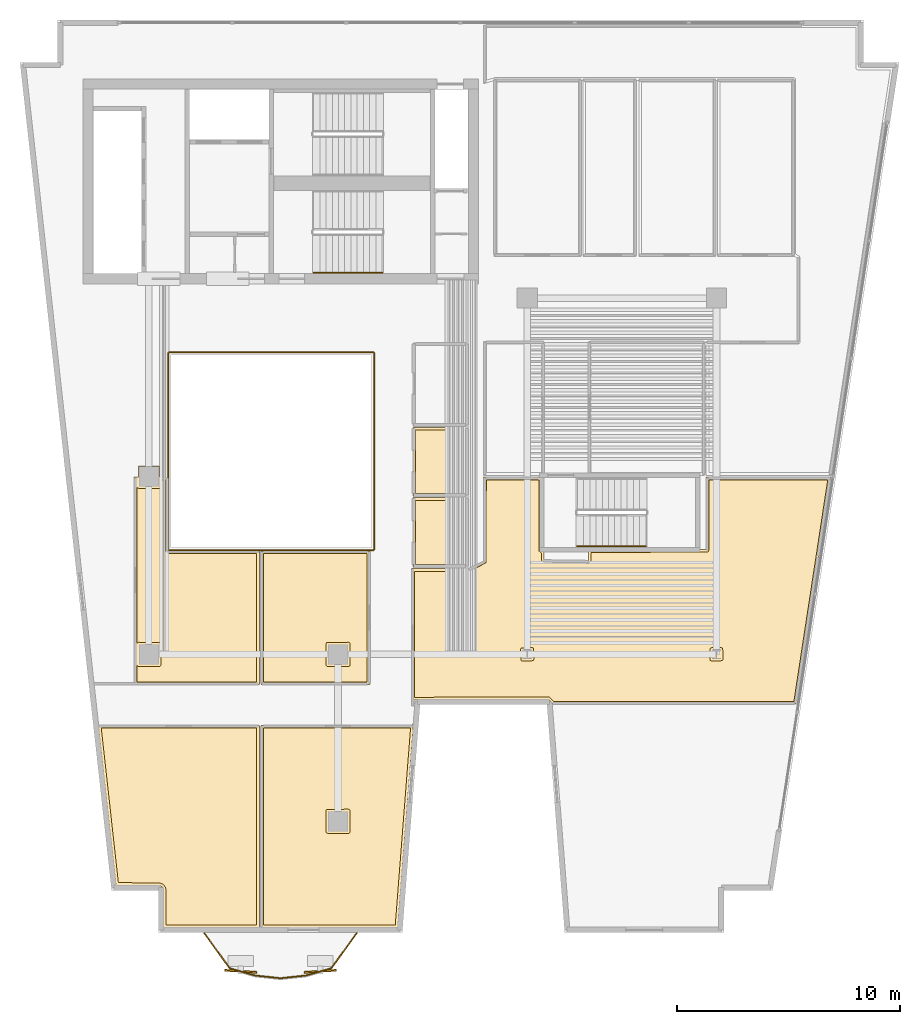
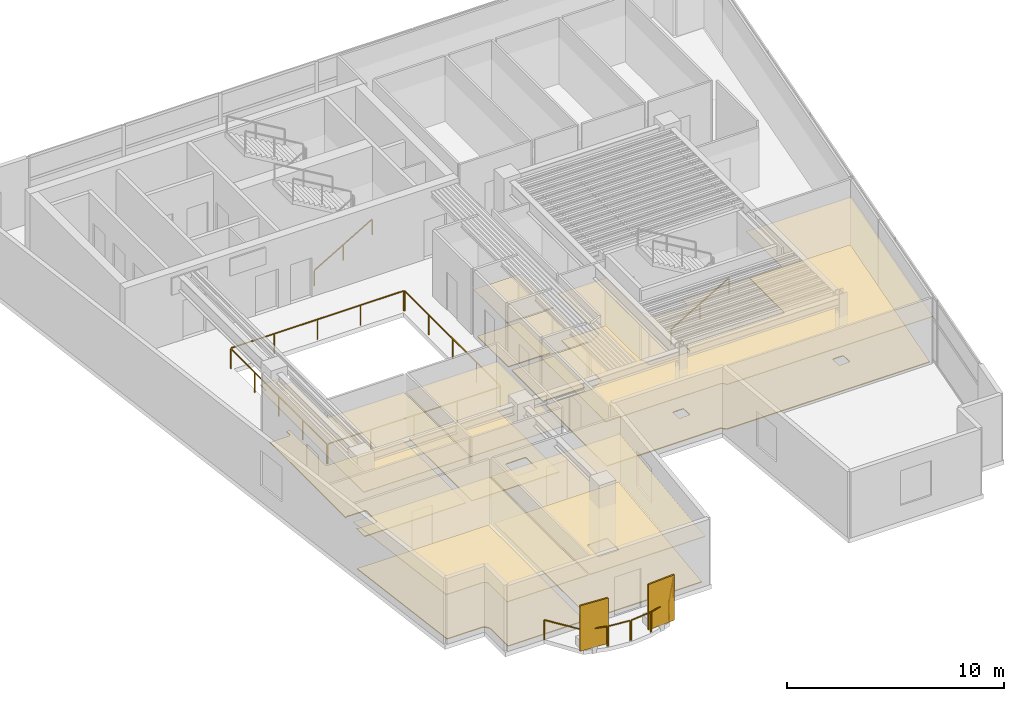
# One storey, part 7 of 8: 14 coverings, 12 railings, 2 shading devices.
"""IFC4 building model written with IfcOpenShell, lengths in metres."""

from ifc_helpers import new_model, si_unit, direction, frame, origin, origin_2d, place, context, subcontext, project, spatial, polyline, rectangle, outline, extrude, material, layer, layer_set, type_object, element, save


model = new_model("IFC4")

# Units and contexts
model_context = context("Model", 3, precision=1e-05, world=origin(), true_north=direction((0.0, 1.0)))
body_context = subcontext(model_context, "Body", "Model", "MODEL_VIEW")
ifc_project = project(units=[si_unit("LENGTHUNIT", "METRE"), si_unit("AREAUNIT", "SQUARE_METRE"), si_unit("VOLUMEUNIT", "CUBIC_METRE"), si_unit("PLANEANGLEUNIT", "RADIAN"), si_unit("MASSUNIT", "GRAM", prefix="KILO")], contexts=[model_context])

# Site, building, storey
site_placement = place(None, origin())
site = spatial("IfcSite", under=ifc_project, at=site_placement, CompositionType="ELEMENT")
building_placement = place(site_placement, origin())
building = spatial("IfcBuilding", under=site, at=building_placement, Name="Caeloran Harvest Quay", CompositionType="ELEMENT")
storey_placement = place(building_placement, frame((0.0, 0.0, 243.0)))
storey = spatial("IfcBuildingStorey", under=building, at=storey_placement, Name="L58", CompositionType="ELEMENT", Elevation=243.0)

# Coverings
ifc_material_1 = material(Name="Perforated Mineral-Fibre Acoustic Ceiling Tile", Category="ceiling")
ifc_layer_1 = layer(ifc_material_1, 0.0400390625, Name="Perforated Mineral-Fibre Acoustic Ceiling Tile")
ifc_layer_set_1 = layer_set([ifc_layer_1], Name="Perforated Mineral-Fibre Acoustic Ceiling Tile")
covering_type_1 = type_object("IfcCoveringType", Name="COV-CEILING-ACOUSTIC", PredefinedType="CEILING", material=ifc_layer_set_1)
covering_1_placement = place(storey_placement, frame((0.0, 0.0, 2.60009765625)))
element("IfcCovering", 1, at=covering_1_placement, inside=storey, type_object=covering_type_1, Name="L58 Female Washroom WC Acoustic Ceiling", PredefinedType="CEILING", context=body_context, shape_type="SweptSolid", body=[
    extrude(outline(polyline([(22.840087890625, 25.18994140625), (22.840087890625, 22.110107421875), (20.360107421875, 22.110107421875), (20.360107421875, 25.18994140625), (22.840087890625, 25.18994140625)])), origin(), (0.0, 0.0, 1.0), 0.039794921875),
])
covering_2_placement = place(storey_placement, frame((0.0, 0.0, 2.60009765625)))
element("IfcCovering", 2, at=covering_2_placement, inside=storey, type_object=covering_type_1, Name="L58 Accessible Unisex Washroom WC Acoustic Ceiling", PredefinedType="CEILING", context=body_context, shape_type="SweptSolid", body=[
    extrude(outline(polyline([(22.840087890625, 22.0400390625), (22.840087890625, 18.919921875), (20.360107421875, 18.919921875), (20.360107421875, 22.0400390625), (22.840087890625, 22.0400390625)])), origin(), (0.0, 0.0, 1.0), 0.039794921875),
])
covering_3_placement = place(storey_placement, frame((0.0, 0.0, 2.60009765625)))
element("IfcCovering", 3, at=covering_3_placement, inside=storey, type_object=covering_type_1, Name="Sustainable Urbanism Advisory Office Acoustic Ceiling", PredefinedType="CEILING", context=body_context, shape_type="SweptSolid", body=[
    extrude(outline(polyline([(13.5400390625, 11.81005859375), (20.31494140625, 11.81005859375), (20.394287109375, 11.9169921875), (19.680419921875, 2.719970703125), (13.5400390625, 2.719970703125), (13.5400390625, 11.81005859375)])), origin(), (0.0, 0.0, 1.0), 0.039794921875),
])
covering_4_placement = place(storey_placement, frame((0.0, 0.0, 2.60009765625)))
element("IfcCovering", 4, at=covering_4_placement, inside=storey, type_object=covering_type_1, Name="GIS Spatial Modelling Lab Acoustic Ceiling", PredefinedType="CEILING", context=body_context, shape_type="SweptSolid", body=[
    extrude(outline(polyline([(9.13916015625, 4.484130859375), (9.075439453125, 4.570068359375), (8.95751953125, 4.618896484375), (7.022705078125, 4.6201171875), (6.227294921875, 11.81005859375), (13.4599609375, 11.81005859375), (13.4599609375, 2.719970703125), (9.156005859375, 2.719970703125), (9.156005859375, 4.39892578125), (9.13916015625, 4.484130859375)])), origin(), (0.0, 0.0, 1.0), 0.039794921875),
])
covering_5_placement = place(storey_placement, frame((0.0, 0.0, 2.60009765625)))
element("IfcCovering", 5, at=covering_5_placement, inside=storey, type_object=covering_type_1, Name="Director Office Acoustic Ceiling", PredefinedType="CEILING", context=body_context, shape_type="SweptSolid", body=[
    extrude(outline(polyline([(18.429931640625, 13.639892578125), (13.5400390625, 13.639892578125), (13.5400390625, 19.659912109375), (18.429931640625, 19.659912109375), (18.429931640625, 13.639892578125)])), origin(), (0.0, 0.0, 1.0), 0.039794921875),
])
covering_6_placement = place(storey_placement, frame((0.0, 0.0, 2.60009765625)))
element("IfcCovering", 6, at=covering_6_placement, inside=storey, type_object=covering_type_1, Name="Client Review Meeting Room Acoustic Ceiling", PredefinedType="CEILING", context=body_context, shape_type="SweptSolid", body=[
    extrude(outline(polyline([(33.5400390625, 22.9599609375), (39.139404296875, 22.9599609375), (37.5810546875, 12.760009765625), (26.641845703125, 12.760009765625), (26.5556640625, 12.887451171875), (26.455810546875, 12.969970703125), (20.68505859375, 12.969970703125), (20.59326171875, 12.95068359375), (20.31005859375, 12.949951171875), (20.31005859375, 18.85009765625), (22.87353515625, 18.85009765625), (23.5400390625, 19.184814453125), (23.5400390625, 22.9599609375), (26.139892578125, 22.9599609375), (26.139892578125, 19.69921875), (26.260009765625, 19.604248046875), (26.260009765625, 19.239501953125), (28.239990234375, 19.210693359375), (28.239990234375, 19.689697265625), (33.5400390625, 19.71044921875), (33.5400390625, 22.9599609375)])), origin(), (0.0, 0.0, 1.0), 0.039794921875),
])
covering_7_placement = place(storey_placement, frame((0.0, 0.0, 2.60009765625)))
element("IfcCovering", 7, at=covering_7_placement, inside=storey, type_object=covering_type_1, Name="Terrace Cafe Kitchen Acoustic Ceiling", PredefinedType="CEILING", context=body_context, shape_type="SweptSolid", body=[
    extrude(outline(polyline([(13.4599609375, 13.639892578125), (7.840087890625, 13.639892578125), (7.840087890625, 22.9599609375), (8.030029296875, 22.9599609375), (8.030029296875, 23.469970703125), (8.969970703125, 23.469970703125), (8.969970703125, 22.9599609375), (9.360107421875, 22.9599609375), (9.360107421875, 19.659912109375), (13.4599609375, 19.659912109375), (13.4599609375, 13.639892578125)])), origin(), (0.0, 0.0, 1.0), 0.039794921875),
])
ifc_material_2 = material(Name="Calcium-Sulphate Raised Access Floor and Terrazzo Finish", Category="flooring")
ifc_layer_2 = layer(ifc_material_2, 0.050048828125, Name="Calcium-Sulphate Raised Access Floor and Terrazzo Finish")
ifc_layer_set_2 = layer_set([ifc_layer_2], Name="Calcium-Sulphate Raised Access Floor and Terrazzo Finish")
covering_type_2 = type_object("IfcCoveringType", Name="COV-FLOOR-RAISED", PredefinedType="FLOORING", material=ifc_layer_set_2)
covering_8_placement = place(storey_placement, origin())
element("IfcCovering", 8, at=covering_8_placement, inside=storey, type_object=covering_type_2, Name="L58 Female Washroom WC Raised Finish Flooring", PredefinedType="FLOORING", context=body_context, shape_type="SweptSolid", body=[
    extrude(outline(polyline([(22.719970703125, 25.070068359375), (22.719970703125, 22.22998046875), (20.47998046875, 22.22998046875), (20.47998046875, 25.070068359375), (22.719970703125, 25.070068359375)])), origin(), (0.0, 0.0, 1.0), 0.050048828125),
])
covering_9_placement = place(storey_placement, origin())
element("IfcCovering", 9, at=covering_9_placement, inside=storey, type_object=covering_type_2, Name="L58 Accessible Unisex Washroom WC Raised Finish Flooring", PredefinedType="FLOORING", context=body_context, shape_type="SweptSolid", body=[
    extrude(outline(polyline([(22.719970703125, 21.919921875), (22.719970703125, 19.0400390625), (20.47998046875, 19.0400390625), (20.47998046875, 21.919921875), (22.719970703125, 21.919921875)])), origin(), (0.0, 0.0, 1.0), 0.050048828125),
])
covering_10_placement = place(storey_placement, origin())
element("IfcCovering", 10, at=covering_10_placement, inside=storey, type_object=covering_type_2, Name="Sustainable Urbanism Advisory Office Raised Finish Flooring", PredefinedType="FLOORING", context=body_context, shape_type="SweptSolid", body=[
    extrude(outline(polyline([(13.659912109375, 2.840087890625), (13.659912109375, 11.68994140625), (20.256591796875, 11.68994140625), (19.569580078125, 2.840087890625), (13.659912109375, 2.840087890625)]), holes=[polyline([(17.465087890625, 8.044921875), (16.484130859375, 8.02685546875), (16.455322265625, 7.972900390625), (16.455078125, 7.034912109375), (16.478515625, 6.978515625), (16.534912109375, 6.955078125), (17.465087890625, 6.955078125), (17.521484375, 6.978515625), (17.544921875, 7.034912109375), (17.544921875, 7.965087890625), (17.521484375, 8.021484375), (17.465087890625, 8.044921875)])]), origin(), (0.0, 0.0, 1.0), 0.050048828125),
])
covering_11_placement = place(storey_placement, origin())
element("IfcCovering", 11, at=covering_11_placement, inside=storey, type_object=covering_type_2, Name="GIS Spatial Modelling Lab Raised Finish Flooring", PredefinedType="FLOORING", context=body_context, shape_type="SweptSolid", body=[
    extrude(outline(polyline([(9.25146484375, 4.5263671875), (9.148681640625, 4.665283203125), (8.97314453125, 4.73779296875), (7.13037109375, 4.739990234375), (6.361328125, 11.68994140625), (13.340087890625, 11.68994140625), (13.340087890625, 2.840087890625), (9.27587890625, 2.840087890625), (9.27587890625, 4.39990234375), (9.25146484375, 4.5263671875)])), origin(), (0.0, 0.0, 1.0), 0.050048828125),
])
covering_12_placement = place(storey_placement, origin())
element("IfcCovering", 12, at=covering_12_placement, inside=storey, type_object=covering_type_2, Name="Director Office Raised Finish Flooring", PredefinedType="FLOORING", context=body_context, shape_type="SweptSolid", body=[
    extrude(outline(polyline([(18.31005859375, 19.5400390625), (18.31005859375, 13.760009765625), (13.659912109375, 13.760009765625), (13.659912109375, 19.5400390625), (18.31005859375, 19.5400390625)]), holes=[polyline([(17.465087890625, 15.544921875), (16.484130859375, 15.52685546875), (16.455322265625, 15.472900390625), (16.455078125, 14.534912109375), (16.478515625, 14.478515625), (16.534912109375, 14.455078125), (17.465087890625, 14.455078125), (17.521484375, 14.478515625), (17.544921875, 14.534912109375), (17.544921875, 15.465087890625), (17.521484375, 15.521484375), (17.465087890625, 15.544921875)])]), origin(), (0.0, 0.0, 1.0), 0.050048828125),
])
covering_13_placement = place(storey_placement, origin())
element("IfcCovering", 13, at=covering_13_placement, inside=storey, type_object=covering_type_2, Name="Client Review Meeting Room Raised Finish Flooring", PredefinedType="FLOORING", context=body_context, shape_type="SweptSolid", body=[
    extrude(outline(polyline([(26.697998046875, 12.8798828125), (26.4736328125, 13.090087890625), (20.429931640625, 13.0703125), (20.429931640625, 18.72998046875), (22.890380859375, 18.73046875), (23.64111328125, 19.1083984375), (23.659912109375, 22.840087890625), (26.02001953125, 22.840087890625), (26.02001953125, 19.679931640625), (26.038818359375, 19.62841796875), (26.139892578125, 19.54638671875), (26.1533203125, 19.156005859375), (26.21875, 19.1201171875), (28.27880859375, 19.090087890625), (28.3583984375, 19.154296875), (28.360107421875, 19.5703125), (33.62451171875, 19.604248046875), (33.659912109375, 19.670654296875), (33.659912109375, 22.840087890625), (38.99951171875, 22.840087890625), (37.477783203125, 12.8798828125), (26.697998046875, 12.8798828125)]), holes=[polyline([(33.781982421875, 15.302978515625), (33.725341796875, 15.279541015625), (33.702392578125, 15.230712890625), (33.72021484375, 14.726318359375), (33.781982421875, 14.697021484375), (34.268798828125, 14.715087890625), (34.298095703125, 14.777099609375), (34.27978515625, 15.273681640625), (34.225830078125, 15.302490234375), (33.781982421875, 15.302978515625)]), polyline([(25.725830078125, 15.302490234375), (25.231201171875, 15.284912109375), (25.202392578125, 15.230712890625), (25.22021484375, 14.726318359375), (25.281982421875, 14.697021484375), (25.768798828125, 14.715087890625), (25.798095703125, 14.777099609375), (25.77978515625, 15.273681640625), (25.725830078125, 15.302490234375)])]), origin(), (0.0, 0.0, 1.0), 0.050048828125),
])
covering_14_placement = place(storey_placement, origin())
element("IfcCovering", 14, at=covering_14_placement, inside=storey, type_object=covering_type_2, Name="Terrace Cafe Kitchen Raised Finish Flooring", PredefinedType="FLOORING", context=body_context, shape_type="SweptSolid", body=[
    extrude(outline(polyline([(7.9599609375, 14.50732421875), (8.027099609375, 14.455322265625), (8.965087890625, 14.455078125), (9.021484375, 14.478515625), (9.044921875, 14.534912109375), (9.044921875, 15.465087890625), (9.015869140625, 15.52685546875), (8.034912109375, 15.544921875), (7.9599609375, 15.49267578125), (7.9599609375, 22.50732421875), (8.034912109375, 22.455078125), (8.98828125, 22.45849609375), (9.04345703125, 22.519287109375), (9.044921875, 22.840087890625), (9.239990234375, 22.840087890625), (9.239990234375, 19.64990234375), (9.283203125, 19.5625), (9.35009765625, 19.5400390625), (13.340087890625, 19.5400390625), (13.340087890625, 13.760009765625), (7.9599609375, 13.760009765625), (7.9599609375, 14.50732421875)])), origin(), (0.0, 0.0, 1.0), 0.050048828125),
])

# Railings
ifc_material_3 = material(Name="Powder-Coated Steel Post and Laminated Glass Guardrail", Category="steel")
ifc_layer_3 = layer(ifc_material_3, 0.06005859375, Name="Powder-Coated Steel Post and Laminated Glass Guardrail")
ifc_layer_set_3 = layer_set([ifc_layer_3], Name="Powder-Coated Steel Post and Laminated Glass Guardrail")
railing_type_1 = type_object("IfcRailingType", Name="GUARD-ATRIUM-1150", PredefinedType="GUARDRAIL", material=ifc_layer_set_3)
railing_1_placement = place(storey_placement, frame((9.412109375, 19.679931640625, 0.0)))
element("IfcRailing", 15, at=railing_1_placement, inside=storey, type_object=railing_type_1, Name="L58 Skylit Atrium Void Perimeter Guardrail Seg 1", PredefinedType="GUARDRAIL", context=body_context, shape_type="SweptSolid", body=[
    extrude(rectangle(XDim=0.048095703125, YDim=0.048095703125, at=origin_2d()), frame((0.0, 0.0, 1.1259765625), z_axis=(1.0, 0.0, 0.0), x_axis=(0.0, 1.0, 0.0)), (0.0, 0.0, 1.0), 9.17578125),
    extrude(rectangle(XDim=0.0419921875, YDim=0.0419921875, at=origin_2d()), origin(), (0.0, 0.0, 1.0), 1.101806640625),
    extrude(rectangle(XDim=0.0419921875, YDim=0.0419921875, at=origin_2d()), frame((2.2939453125, 0.0, 0.0)), (0.0, 0.0, 1.0), 1.101806640625),
    extrude(rectangle(XDim=0.0419921875, YDim=0.0419921875, at=origin_2d()), frame((4.587890625, 0.0, 0.0)), (0.0, 0.0, 1.0), 1.101806640625),
    extrude(rectangle(XDim=0.0419921875, YDim=0.0419921875, at=origin_2d()), frame((6.8818359375, 0.0, 0.0)), (0.0, 0.0, 1.0), 1.101806640625),
    extrude(rectangle(XDim=0.0419921875, YDim=0.0419921875, at=origin_2d()), frame((9.17578125, 0.0, 0.0)), (0.0, 0.0, 1.0), 1.101806640625),
])
railing_2_placement = place(storey_placement, frame((18.6201171875, 19.7119140625, 0.0)))
element("IfcRailing", 16, at=railing_2_placement, inside=storey, type_object=railing_type_1, Name="L58 Skylit Atrium Void Perimeter Guardrail Seg 2", PredefinedType="GUARDRAIL", context=body_context, shape_type="SweptSolid", body=[
    extrude(rectangle(XDim=0.048095703125, YDim=0.048095703125, at=origin_2d()), frame((0.0, 0.0, 1.1259765625), z_axis=(0.0, 1.0, 0.0), x_axis=(-1.0, 0.0, 0.0)), (0.0, 0.0, 1.0), 8.826171875),
    extrude(rectangle(XDim=0.0419921875, YDim=0.0419921875, at=origin_2d()), origin(), (0.0, 0.0, 1.0), 1.101806640625),
    extrude(rectangle(XDim=0.0419921875, YDim=0.0419921875, at=origin_2d()), frame((0.0, 2.20654296875, 0.0)), (0.0, 0.0, 1.0), 1.101806640625),
    extrude(rectangle(XDim=0.0419921875, YDim=0.0419921875, at=origin_2d()), frame((0.0, 4.4130859375, 0.0)), (0.0, 0.0, 1.0), 1.101806640625),
    extrude(rectangle(XDim=0.0419921875, YDim=0.0419921875, at=origin_2d()), frame((0.0, 6.61962890625, 0.0)), (0.0, 0.0, 1.0), 1.101806640625),
    extrude(rectangle(XDim=0.0419921875, YDim=0.0419921875, at=origin_2d()), frame((0.0, 8.826171875, 0.0)), (0.0, 0.0, 1.0), 1.101806640625),
])
railing_3_placement = place(storey_placement, frame((18.587890625, 28.570068359375, 0.0)))
element("IfcRailing", 17, at=railing_3_placement, inside=storey, type_object=railing_type_1, Name="L58 Skylit Atrium Void Perimeter Guardrail Seg 3", PredefinedType="GUARDRAIL", context=body_context, shape_type="SweptSolid", body=[
    extrude(rectangle(XDim=0.048095703125, YDim=0.048095703125, at=origin_2d()), frame((0.0, 0.0, 1.1259765625), z_axis=(-1.0, 0.0, 0.0), x_axis=(0.0, -1.0, 0.0)), (0.0, 0.0, 1.0), 9.17578125),
    extrude(rectangle(XDim=0.0419921875, YDim=0.0419921875, at=origin_2d()), origin(), (0.0, 0.0, 1.0), 1.101806640625),
    extrude(rectangle(XDim=0.0419921875, YDim=0.0419921875, at=origin_2d()), frame((-2.2939453125, 0.0, 0.0)), (0.0, 0.0, 1.0), 1.101806640625),
    extrude(rectangle(XDim=0.0419921875, YDim=0.0419921875, at=origin_2d()), frame((-4.587890625, 0.0, 0.0)), (0.0, 0.0, 1.0), 1.101806640625),
    extrude(rectangle(XDim=0.0419921875, YDim=0.0419921875, at=origin_2d()), frame((-6.8818359375, 0.0, 0.0)), (0.0, 0.0, 1.0), 1.101806640625),
    extrude(rectangle(XDim=0.0419921875, YDim=0.0419921875, at=origin_2d()), frame((-9.17578125, 0.0, 0.0)), (0.0, 0.0, 1.0), 1.101806640625),
])
railing_4_placement = place(storey_placement, frame((9.3798828125, 28.5380859375, 0.0)))
element("IfcRailing", 18, at=railing_4_placement, inside=storey, type_object=railing_type_1, Name="L58 Skylit Atrium Void Perimeter Guardrail Seg 4", PredefinedType="GUARDRAIL", context=body_context, shape_type="SweptSolid", body=[
    extrude(rectangle(XDim=0.048095703125, YDim=0.048095703125, at=origin_2d()), frame((0.0, 0.0, 1.1259765625), z_axis=(0.0, -1.0, 0.0), x_axis=(1.0, 0.0, 0.0)), (0.0, 0.0, 1.0), 8.826171875),
    extrude(rectangle(XDim=0.0419921875, YDim=0.0419921875, at=origin_2d()), origin(), (0.0, 0.0, 1.0), 1.101806640625),
    extrude(rectangle(XDim=0.0419921875, YDim=0.0419921875, at=origin_2d()), frame((0.0, -2.20654296875, 0.0)), (0.0, 0.0, 1.0), 1.101806640625),
    extrude(rectangle(XDim=0.0419921875, YDim=0.0419921875, at=origin_2d()), frame((0.0, -4.4130859375, 0.0)), (0.0, 0.0, 1.0), 1.101806640625),
    extrude(rectangle(XDim=0.0419921875, YDim=0.0419921875, at=origin_2d()), frame((0.0, -6.61962890625, 0.0)), (0.0, 0.0, 1.0), 1.101806640625),
    extrude(rectangle(XDim=0.0419921875, YDim=0.0419921875, at=origin_2d()), frame((0.0, -8.826171875, 0.0)), (0.0, 0.0, 1.0), 1.101806640625),
])
ifc_material_4 = material(Name="Laminated Safety Glass and Stainless Steel 316", Category="steel")
ifc_layer_4 = layer(ifc_material_4, 0.06005859375, Name="Laminated Safety Glass and Stainless Steel 316")
ifc_layer_set_4 = layer_set([ifc_layer_4], Name="Laminated Safety Glass and Stainless Steel 316")
railing_type_2 = type_object("IfcRailingType", Name="GUARD-BALUSTRADE-1150", PredefinedType="BALUSTRADE", material=ifc_layer_set_4)
railing_5_placement = place(storey_placement, frame((17.843994140625, 2.47998046875, 0.0)))
element("IfcRailing", 19, at=railing_5_placement, inside=storey, type_object=railing_type_2, Name="L58 Planted Balcony Perimeter Balustrade Guard Seg 1", PredefinedType="BALUSTRADE", context=body_context, shape_type="SweptSolid", body=[
    extrude(rectangle(XDim=0.048095703125, YDim=0.048095703125, at=origin_2d()), frame((0.0, 0.0, 1.1259765625), z_axis=(-0.58618733193, -0.81017554387, 0.0), x_axis=(0.81017554387, -0.58618733193, 0.0)), (0.0, 0.0, 1.0), 1.91845703125),
    extrude(rectangle(XDim=0.0419921875, YDim=0.0419921875, at=origin_2d()), origin(), (0.0, 0.0, 1.0), 1.101806640625),
    extrude(rectangle(XDim=0.0419921875, YDim=0.0419921875, at=origin_2d()), frame((-1.12451171875, -1.55419921875, 0.0)), (0.0, 0.0, 1.0), 1.101806640625),
])
railing_6_placement = place(storey_placement, frame((16.670166015625, 0.89111328125, 0.0)))
element("IfcRailing", 20, at=railing_6_placement, inside=storey, type_object=railing_type_2, Name="L58 Planted Balcony Perimeter Balustrade Guard Seg 2", PredefinedType="BALUSTRADE", context=body_context, shape_type="SweptSolid", body=[
    extrude(rectangle(XDim=0.048095703125, YDim=0.048095703125, at=origin_2d()), frame((0.0, 0.0, 1.1259765625), z_axis=(-0.960948994178, -0.27672555102, 0.0), x_axis=(0.27672555102, -0.960948994178, 0.0)), (0.0, 0.0, 1.0), 1.125732421875),
    extrude(rectangle(XDim=0.0419921875, YDim=0.0419921875, at=origin_2d()), origin(), (0.0, 0.0, 1.0), 1.101806640625),
    extrude(rectangle(XDim=0.0419921875, YDim=0.0419921875, at=origin_2d()), frame((-1.081787109375, -0.3115234375, 0.0)), (0.0, 0.0, 1.0), 1.101806640625),
])
railing_7_placement = place(storey_placement, frame((15.52587890625, 0.567138671875, 0.0)))
element("IfcRailing", 21, at=railing_7_placement, inside=storey, type_object=railing_type_2, Name="L58 Planted Balcony Perimeter Balustrade Guard Seg 3", PredefinedType="BALUSTRADE", context=body_context, shape_type="SweptSolid", body=[
    extrude(rectangle(XDim=0.048095703125, YDim=0.048095703125, at=origin_2d()), frame((0.0, 0.0, 1.1259765625), z_axis=(-0.994493122925, -0.104801853298, 0.0), x_axis=(0.104801853298, -0.994493122925, 0.0)), (0.0, 0.0, 1.0), 1.08544921875),
    extrude(rectangle(XDim=0.0419921875, YDim=0.0419921875, at=origin_2d()), origin(), (0.0, 0.0, 1.0), 1.101806640625),
    extrude(rectangle(XDim=0.0419921875, YDim=0.0419921875, at=origin_2d()), frame((-1.07958984375, -0.11376953125, 0.0)), (0.0, 0.0, 1.0), 1.101806640625),
])
railing_8_placement = place(storey_placement, frame((14.3828125, 0.453369140625, 0.0)))
element("IfcRailing", 22, at=railing_8_placement, inside=storey, type_object=railing_type_2, Name="L58 Planted Balcony Perimeter Balustrade Guard Seg 4", PredefinedType="BALUSTRADE", context=body_context, shape_type="SweptSolid", body=[
    extrude(rectangle(XDim=0.048095703125, YDim=0.048095703125, at=origin_2d()), frame((0.0, 0.0, 1.1259765625), z_axis=(-0.994495592233, 0.104778418716, 0.0), x_axis=(-0.104778418716, -0.994495592233, 0.0)), (0.0, 0.0, 1.0), 1.085693359375),
    extrude(rectangle(XDim=0.0419921875, YDim=0.0419921875, at=origin_2d()), origin(), (0.0, 0.0, 1.0), 1.101806640625),
    extrude(rectangle(XDim=0.0419921875, YDim=0.0419921875, at=origin_2d()), frame((-1.079833984375, 0.11376953125, 0.0)), (0.0, 0.0, 1.0), 1.101806640625),
])
railing_9_placement = place(storey_placement, frame((13.240478515625, 0.57958984375, 0.0)))
element("IfcRailing", 23, at=railing_9_placement, inside=storey, type_object=railing_type_2, Name="L58 Planted Balcony Perimeter Balustrade Guard Seg 5", PredefinedType="BALUSTRADE", context=body_context, shape_type="SweptSolid", body=[
    extrude(rectangle(XDim=0.048095703125, YDim=0.048095703125, at=origin_2d()), frame((0.0, 0.0, 1.1259765625), z_axis=(-0.960932381759, 0.276783232308, 0.0), x_axis=(-0.276783232308, -0.960932381759, 0.0)), (0.0, 0.0, 1.0), 1.12548828125),
    extrude(rectangle(XDim=0.0419921875, YDim=0.0419921875, at=origin_2d()), origin(), (0.0, 0.0, 1.0), 1.101806640625),
    extrude(rectangle(XDim=0.0419921875, YDim=0.0419921875, at=origin_2d()), frame((-1.08154296875, 0.3115234375, 0.0)), (0.0, 0.0, 1.0), 1.101806640625),
])
railing_10_placement = place(storey_placement, frame((12.109375, 0.92578125, 0.0)))
element("IfcRailing", 24, at=railing_10_placement, inside=storey, type_object=railing_type_2, Name="L58 Planted Balcony Perimeter Balustrade Guard Seg 6", PredefinedType="BALUSTRADE", context=body_context, shape_type="SweptSolid", body=[
    extrude(rectangle(XDim=0.048095703125, YDim=0.048095703125, at=origin_2d()), frame((0.0, 0.0, 1.1259765625), z_axis=(-0.586103787144, 0.810235984572, 0.0), x_axis=(-0.810235984572, -0.586103787144, 0.0)), (0.0, 0.0, 1.0), 1.918212890625),
    extrude(rectangle(XDim=0.0419921875, YDim=0.0419921875, at=origin_2d()), origin(), (0.0, 0.0, 1.0), 1.101806640625),
    extrude(rectangle(XDim=0.0419921875, YDim=0.0419921875, at=origin_2d()), frame((-1.124267578125, 1.55419921875, 0.0)), (0.0, 0.0, 1.0), 1.101806640625),
])

# Shading devices
ifc_material_5 = material(Name="3003-H14 Perforated Powder-Coated Aluminium", Category="aluminium")
shading_device_type = type_object("IfcShadingDeviceType", Name="SHADE-SCREEN-FOLDED", PredefinedType="USERDEFINED", material=ifc_material_5)
for number, where, z_axis, x_axis, name in (
    (25, (16.19775390625, 0.760009765625, 0.0751953125), (0.0, 0.0, 1.0), (0.997801468292, 0.0662739004, 0.0), "L58 Folded Facade Breathing Screen 1"),
    (26, (12.631103515625, 0.760009765625, 0.0751953125), (0.0, 0.0, 1.0), (0.997801468292, -0.0662739004, 0.0), "L58 Folded Facade Breathing Screen 2"),
):
    element("IfcShadingDevice", number, at=place(storey_placement, frame(where, z_axis=z_axis, x_axis=x_axis)), inside=storey, type_object=shading_device_type, Name=name, ObjectType="SCREEN", PredefinedType="USERDEFINED", context=body_context, shape_type="SweptSolid", body=[
        extrude(rectangle(XDim=1.449951171875, YDim=0.080078125, at=origin_2d()), origin(), (0.0, 0.0, 1.0), 2.550048828125),
    ])

# Railings
ifc_material_6 = material(Name="Brushed Stainless Steel Grade 304", Category="steel")
ifc_layer_5 = layer(ifc_material_6, 0.050048828125, Name="Brushed Stainless Steel Grade 304")
ifc_layer_set_5 = layer_set([ifc_layer_5], Name="Brushed Stainless Steel Grade 304")
railing_type_3 = type_object("IfcRailingType", Name="STAIR-HANDRAIL-900", PredefinedType="HANDRAIL", material=ifc_layer_set_5)
for number, where, name in (
    (27, (15.89990234375, 32.14990234375, 0.16455078125), "L58 ST-C2 stair handrail 1"),
    (28, (27.75, 19.85009765625, 0.16455078125), "L58 ST-W1 stair handrail 1"),
):
    element("IfcRailing", number, at=place(storey_placement, frame(where)), inside=storey, type_object=railing_type_3, Name=name, PredefinedType="HANDRAIL", context=body_context, shape_type="SweptSolid", body=[
        extrude(rectangle(XDim=0.048095703125, YDim=0.048095703125, at=origin_2d()), frame((0.0, 0.0, 0.8759765625), z_axis=(0.862088758681, 0.0, 0.506757310905), x_axis=(0.0, 1.0, 0.0)), (0.0, 0.0, 1.0), 3.57275390625),
        extrude(rectangle(XDim=0.0419921875, YDim=0.0419921875, at=origin_2d()), origin(), (0.0, 0.0, 1.0), 0.851806640625),
        extrude(rectangle(XDim=0.0419921875, YDim=0.0419921875, at=origin_2d()), frame((1.5400390625, 0.0, 0.9052734375)), (0.0, 0.0, 1.0), 0.851806640625),
        extrude(rectangle(XDim=0.0419921875, YDim=0.0419921875, at=origin_2d()), frame((3.080078125, 0.0, 1.810546875)), (0.0, 0.0, 1.0), 0.851806640625),
    ])

save(model, "model.ifc")
